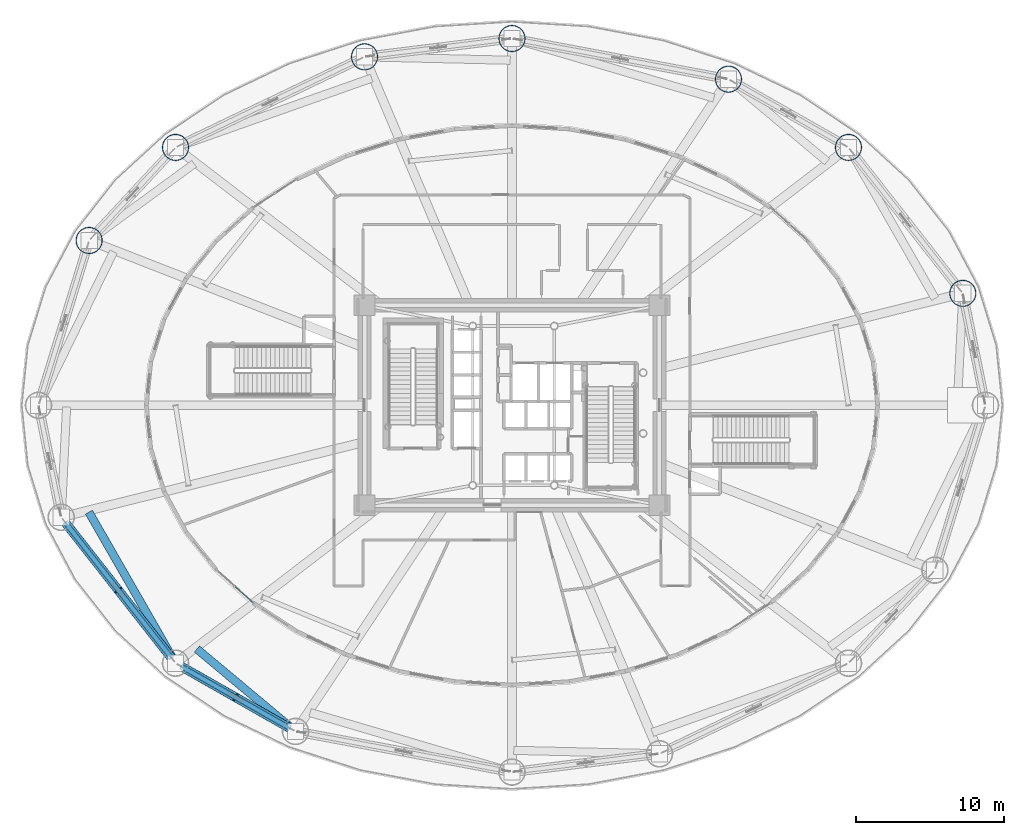
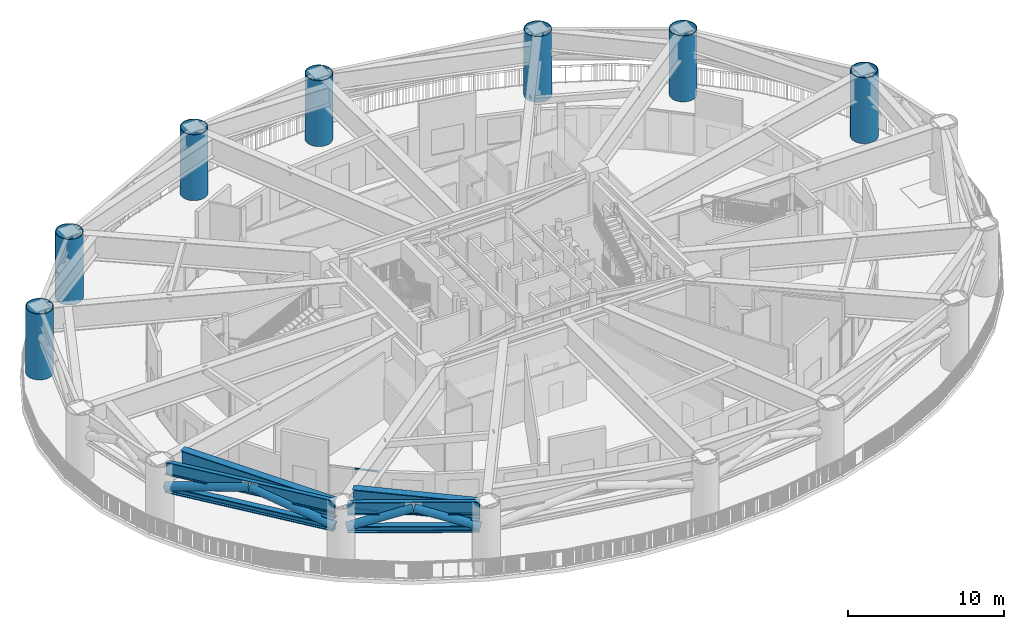
# One storey, part 3 of 39: 7 columns, 6 beams, 6 members, 1 element without a shape of its own.
"""IFC4 building model written with IfcOpenShell, lengths in metres."""

import ifcopenshell
import ifcopenshell.guid

model = None  # the IFC model being written
_history = None  # IfcOwnerHistory: only IFC2X3 demands one
_inside = {}  # id of a spatial element -> (the spatial element, [elements in it])
_under = {}  # id of a project, library or spatial element -> (it, [spatial elements below it])
_declared = {}  # id of a project -> (the project, [libraries it declares])
_typed = {}  # id of a type object -> (the type object, [elements of that type])
_made_of = {}  # id of a material, layer set ... -> (it, [elements and type objects made of it])


def new_model(schema):
    """Start an empty IFC model of exactly this schema.

    Asked for "IFC4X3", IfcOpenShell would pick the latest addendum, in which some entities
    have other attributes; the version numbers below select the first issue.
    IFC2X3 requires an IfcOwnerHistory on every rooted entity: one is made here for all.
    """
    global model, _history
    if schema == "IFC4X3":
        model = ifcopenshell.file(schema_version=(4, 3, 0, 0))
    else:
        model = ifcopenshell.file(schema=schema)
    _inside.clear()
    _under.clear()
    _declared.clear()
    _typed.clear()
    _made_of.clear()
    _history = None
    if model.schema == "IFC2X3":
        org = make("IfcOrganization", Name="unknown")
        user = make(
            "IfcPersonAndOrganization",
            ThePerson=make("IfcPerson", FamilyName="unknown"),
            TheOrganization=org,
        )
        app = make(
            "IfcApplication",
            ApplicationDeveloper=org,
            Version="unknown",
            ApplicationFullName="unknown",
            ApplicationIdentifier="unknown",
        )
        _history = make(
            "IfcOwnerHistory",
            OwningUser=user,
            OwningApplication=app,
            ChangeAction="ADDED",
            CreationDate=0,
        )
    return model


def make(cls, **values):
    """One entity of the class cls with the attributes given. An attribute that is None is left unset."""
    return model.create_entity(
        cls, **{name: value for name, value in values.items() if value is not None}
    )


def rooted(cls, **values):
    """An entity with a GlobalId (a new one), such as an element, a storey or a relation."""
    return make(cls, GlobalId=ifcopenshell.guid.new(), OwnerHistory=_history, **values)


def si_unit(unit_type, name, prefix=None):
    """IfcSIUnit, for example si_unit("LENGTHUNIT", "METRE", prefix="MILLI")."""
    return make("IfcSIUnit", UnitType=unit_type, Prefix=prefix, Name=name)


def assignment(units):
    """IfcUnitAssignment: the units of a project."""
    return None if units is None else make("IfcUnitAssignment", Units=units)


def point(xyz):
    """IfcCartesianPoint."""
    return None if xyz is None else make("IfcCartesianPoint", Coordinates=xyz)


def direction(xyz):
    """IfcDirection."""
    return None if xyz is None else make("IfcDirection", DirectionRatios=xyz)


def frame(location, z_axis=None, x_axis=None):
    """IfcAxis2Placement3D, a coordinate frame: its origin and axes. An axis left out is left unset."""
    return make(
        "IfcAxis2Placement3D",
        Location=point(location),
        Axis=direction(z_axis),
        RefDirection=direction(x_axis),
    )


def frame_2d(location, x_axis=None):
    """IfcAxis2Placement2D, a coordinate frame in the plane: its origin and x axis."""
    return make(
        "IfcAxis2Placement2D", Location=point(location), RefDirection=direction(x_axis)
    )


def origin():
    """The frame at (0, 0, 0) with its axes left unset."""
    return frame((0.0, 0.0, 0.0))


def origin_2d():
    """The frame at (0, 0) in the plane with its x axis left unset."""
    return frame_2d((0.0, 0.0))


def place(relative_to, where):
    """IfcLocalPlacement: puts the frame where relative to a parent placement (None: the world)."""
    return make(
        "IfcLocalPlacement", PlacementRelTo=relative_to, RelativePlacement=where
    )


def context(
    kind, dimensions, precision=None, world=None, true_north=None, identifier=None
):
    """IfcGeometricRepresentationContext, for example the 3D "Model" context."""
    return make(
        "IfcGeometricRepresentationContext",
        ContextIdentifier=identifier,
        ContextType=kind,
        CoordinateSpaceDimension=dimensions,
        Precision=precision,
        WorldCoordinateSystem=world,
        TrueNorth=true_north,
    )


def subcontext(parent, identifier, kind, view, scale=None):
    """IfcGeometricRepresentationSubContext, for example "Body" below "Model"."""
    return make(
        "IfcGeometricRepresentationSubContext",
        ContextIdentifier=identifier,
        ContextType=kind,
        ParentContext=parent,
        TargetScale=scale,
        TargetView=view,
    )


def project(units=None, contexts=None):
    """IfcProject with its units and contexts."""
    return rooted(
        "IfcProject",
        Name="project",
        RepresentationContexts=contexts,
        UnitsInContext=assignment(units),
    )


def spatial(cls, under=None, at=None, **own):
    """A site, building, storey or space (cls), placed at a placement, below another one or the project."""
    s = rooted(cls, ObjectPlacement=at, **own)
    if under is not None:
        _under.setdefault(under.id(), (under, []))[1].append(s)
    return s


def profile(cls, at=None, kind="AREA", **sizes):
    """A parametric profile (cls). Its sizes go by their IFC names, for example OverallWidth=200.0."""
    return make(cls, ProfileType=kind, Position=at, **sizes)


def hollow_rectangle(**sizes):
    """IfcRectangleHollowProfileDef."""
    return profile("IfcRectangleHollowProfileDef", **sizes)


def hollow_circle(**sizes):
    """IfcCircleHollowProfileDef."""
    return profile("IfcCircleHollowProfileDef", **sizes)


def i_section(**sizes):
    """IfcIShapeProfileDef."""
    return profile("IfcIShapeProfileDef", **sizes)


def extrude(swept, where, along, depth):
    """IfcExtrudedAreaSolid: the profile swept, set in the frame where, extruded along a direction by depth."""
    return make(
        "IfcExtrudedAreaSolid",
        SweptArea=swept,
        Position=where,
        ExtrudedDirection=direction(along),
        Depth=depth,
    )


def shape(context_of_items, identifier, shape_type, items):
    """IfcShapeRepresentation: the items that make up one representation, for example the "Body"."""
    return make(
        "IfcShapeRepresentation",
        ContextOfItems=context_of_items,
        RepresentationIdentifier=identifier,
        RepresentationType=shape_type,
        Items=items,
    )


def source(mapping_origin, context_of_items, identifier, shape_type, items):
    """IfcRepresentationMap: a shape defined once, which mapped items show again and again."""
    return make(
        "IfcRepresentationMap",
        MappingOrigin=mapping_origin,
        MappedRepresentation=shape(context_of_items, identifier, shape_type, items),
    )


def transform(
    local_origin,
    x_axis=None,
    y_axis=None,
    z_axis=None,
    scale=None,
    scale2=None,
    scale3=None,
    uniform=True,
):
    """IfcCartesianTransformationOperator3D, or its non-uniform kind. x_axis, y_axis, z_axis: its Axis1, 2, 3."""
    if uniform:
        return make(
            "IfcCartesianTransformationOperator3D",
            Axis1=direction(x_axis),
            Axis2=direction(y_axis),
            LocalOrigin=point(local_origin),
            Scale=scale,
            Axis3=direction(z_axis),
        )
    return make(
        "IfcCartesianTransformationOperator3DnonUniform",
        Axis1=direction(x_axis),
        Axis2=direction(y_axis),
        LocalOrigin=point(local_origin),
        Scale=scale,
        Axis3=direction(z_axis),
        Scale2=scale2,
        Scale3=scale3,
    )


def mapped(mapping_source, mapping_target):
    """IfcMappedItem: shows the shape of a source again, moved by a transform."""
    return make(
        "IfcMappedItem", MappingSource=mapping_source, MappingTarget=mapping_target
    )


def material(Name=None, Category=None):
    """IfcMaterial."""
    return make("IfcMaterial", Name=Name, Category=Category)


def layer(
    of_material, thickness, ventilated=None, Name=None, Category=None, Priority=None
):
    """IfcMaterialLayer: one layer of a wall or slab, of a material (None: an air gap)."""
    return make(
        "IfcMaterialLayer",
        Material=of_material,
        LayerThickness=thickness,
        IsVentilated=ventilated,
        Name=Name,
        Category=Category,
        Priority=Priority,
    )


def layer_set(layers, Name=None):
    """IfcMaterialLayerSet."""
    return make("IfcMaterialLayerSet", MaterialLayers=layers, LayerSetName=Name)


def material_profile(
    of_material, cross_section, Name=None, Category=None, Priority=None
):
    """IfcMaterialProfile: a cross section and its material."""
    return make(
        "IfcMaterialProfile",
        Name=Name,
        Material=of_material,
        Profile=cross_section,
        Priority=Priority,
        Category=Category,
    )


def profile_set(profiles, Name=None, composite=None):
    """IfcMaterialProfileSet."""
    return make(
        "IfcMaterialProfileSet",
        Name=Name,
        MaterialProfiles=profiles,
        CompositeProfile=composite,
    )


def made_of(thing, what):
    """Note that an element or type object is made of a material, layer set ...; save() writes the relation."""
    if what is not None:
        _made_of.setdefault(what.id(), (what, []))[1].append(thing)
    return thing


def type_object(cls, material=None, **own):
    """A type object (cls), such as IfcWallType, which elements share."""
    return made_of(rooted(cls, **own), material)


def element(
    cls,
    number,
    at=None,
    inside=None,
    cuts=None,
    type_object=None,
    material=None,
    context=None,
    identifier="Body",
    shape_type=None,
    held_by="IfcProductDefinitionShape",
    body=None,
    shapes=None,
    **own,
):
    """One element of the class cls, such as IfcWall. Its Tag is "e" and its number.

    at: its placement. inside: the storey or other place that contains it. cuts: it is an
    opening in that element (IfcRelVoidsElement). A single representation is given by context,
    identifier, shape_type and body (its items); several are given by shapes. held_by: the class
    of the entity that holds the representations. save() writes the other relations.
    """
    e = rooted(cls, Tag="e%d" % number, ObjectPlacement=at, **own)
    if body is not None:
        shapes = [shape(context, identifier, shape_type, body)]
    if shapes is not None:
        e.Representation = make(held_by, Representations=shapes)
    if inside is not None:
        _inside.setdefault(inside.id(), (inside, []))[1].append(e)
    if cuts is not None:
        rooted(
            "IfcRelVoidsElement", RelatingBuildingElement=cuts, RelatedOpeningElement=e
        )
    if type_object is not None:
        _typed.setdefault(type_object.id(), (type_object, []))[1].append(e)
    return made_of(e, material)


def aggregate(whole, parts):
    """IfcRelAggregates: a whole, such as a stair, and the parts it consists of."""
    return rooted("IfcRelAggregates", RelatingObject=whole, RelatedObjects=parts)


def save(model, path):
    """Write the relations noted so far, then the file.

    IfcRelAggregates (storeys below a building ...), IfcRelContainedInSpatialStructure (elements
    in a storey), IfcRelDefinesByType, IfcRelAssociatesMaterial and IfcRelDeclares: one each for
    every whole, place, type object, material and project.
    """
    for whole, parts in _under.values():
        aggregate(whole, parts)
    for where, things in _inside.values():
        rooted(
            "IfcRelContainedInSpatialStructure",
            RelatedElements=things,
            RelatingStructure=where,
        )
    for kind, things in _typed.values():
        rooted("IfcRelDefinesByType", RelatedObjects=things, RelatingType=kind)
    for what, things in _made_of.values():
        rooted("IfcRelAssociatesMaterial", RelatedObjects=things, RelatingMaterial=what)
    for by, libraries in _declared.values():
        rooted("IfcRelDeclares", RelatingContext=by, RelatedDefinitions=libraries)
    model.write(path)


model = new_model("IFC4")

# Units and contexts
model_context = context("Model", 3, precision=1e-05, world=origin(), true_north=direction((0.0, 1.0)))
body_context = subcontext(model_context, "Body", "Model", "MODEL_VIEW")
ifc_project = project(units=[si_unit("LENGTHUNIT", "METRE"), si_unit("AREAUNIT", "SQUARE_METRE"), si_unit("VOLUMEUNIT", "CUBIC_METRE"), si_unit("PLANEANGLEUNIT", "RADIAN"), si_unit("MASSUNIT", "GRAM", prefix="KILO")], contexts=[model_context])

# Site, building, storey
site_placement = place(None, origin())
site = spatial("IfcSite", under=ifc_project, at=site_placement, CompositionType="ELEMENT")
building_placement = place(site_placement, origin())
building = spatial("IfcBuilding", under=site, at=building_placement, Name="Linh Dai School and Residence Tower", CompositionType="ELEMENT")
storey_placement = place(building_placement, frame((0.0, 0.0, 27.0)))
storey = spatial("IfcBuildingStorey", under=building, at=storey_placement, Name="L06", CompositionType="ELEMENT", Elevation=27.0)

# Columns
ifc_material_1 = material(Name="Structural Steel S355JR", Category="steel")
ifc_material_profile_1 = material_profile(ifc_material_1, hollow_circle(Radius=0.89990234375, WallThickness=0.050048828125, at=origin_2d()), Name="CHS 1800x50")
ifc_profile_set_1 = profile_set([ifc_material_profile_1], Name="Structural Steel S355JR")
column_type = type_object("IfcColumnType", Name="COL-MC1", PredefinedType="COLUMN", material=ifc_profile_set_1)
for number, where, z_axis, x_axis, name in (
    (1, (66.42041015625, 34.555419921875, 0.0), (0.0, 0.0, 1.0), (1.0, 0.0, 0.0), "L06 Perimeter CFT Mega-Column MC02"),
    (2, (58.705322265625, 44.400634765625, 0.0), (0.0, 0.0, 1.0), (1.0, 0.0, 0.0), "L06 Perimeter CFT Mega-Column MC03"),
    (3, (50.609130859375, 49.005126953125, 0.0), (0.0, 0.0, 1.0), (1.0, 0.0, 0.0), "L06 Perimeter CFT Mega-Column MC04"),
    (4, (36.0, 51.75, 0.0), (0.0, 0.0, 1.0), (1.0, 0.0, 0.0), "L06 Perimeter CFT Mega-Column MC05"),
    (5, (26.048828125, 50.51611328125, 0.0), (0.0, 0.0, 1.0), (1.0, 0.0, 0.0), "L06 Perimeter CFT Mega-Column MC06"),
    (6, (13.294677734375, 44.400634765625, 0.0), (0.0, 0.0, 1.0), (1.0, 0.0, 0.0), "L06 Perimeter CFT Mega-Column MC07"),
    (7, (7.46630859375, 38.1220703125, 0.0), (0.0, 0.0, 1.0), (1.0, 0.0, 0.0), "L06 Perimeter CFT Mega-Column MC08"),
):
    element("IfcColumn", number, at=place(storey_placement, frame(where, z_axis=z_axis, x_axis=x_axis)), inside=storey, type_object=column_type, Name=name, PredefinedType="COLUMN", context=body_context, shape_type="SweptSolid", body=[
        extrude(hollow_circle(Radius=0.89990234375, WallThickness=0.050048828125, at=origin_2d()), origin(), (0.0, 0.0, 1.0), 5.14990234375),
    ])

# Beams
ifc_material_profile_2 = material_profile(ifc_material_1, i_section(OverallWidth=0.41796875, OverallDepth=0.506103515625, WebThickness=0.038818359375, FlangeThickness=0.05810546875, FilletRadius=0.014892578125, at=origin_2d()), Name="HD 400x551")
ifc_profile_set_2 = profile_set([ifc_material_profile_2], Name="Structural Steel S355JR")
beam_type_1 = type_object("IfcBeamType", Name="BM-BC1", PredefinedType="BEAM", material=ifc_profile_set_2)
beam_1_placement = place(storey_placement, frame((5.838623046875, 19.114013671875, 3.050048828125), z_axis=(0.616811949607, -0.787110550572, 0.0), x_axis=(0.787110550572, 0.616811949607, 0.0)))
element("IfcBeam", 8, at=beam_1_placement, inside=storey, type_object=beam_type_1, Name="L06 Ring Belt Truss BT1 Bottom Chord 10", PredefinedType="BEAM", context=body_context, shape_type="SweptSolid", body=[
    extrude(i_section(OverallWidth=0.41796875, OverallDepth=0.506103515625, WebThickness=0.038818359375, FlangeThickness=0.05810546875, FilletRadius=0.014892578125, at=origin_2d()), origin(), (0.0, 0.0, 1.0), 11.668212890625),
])
beam_2_placement = place(storey_placement, frame((13.659912109375, 9.3916015625, 3.050048828125), z_axis=(0.869246663758, -0.494378637833, 0.0), x_axis=(0.494378637833, 0.869246663758, 0.0)))
element("IfcBeam", 9, at=beam_2_placement, inside=storey, type_object=beam_type_1, Name="L06 Ring Belt Truss BT1 Bottom Chord 11", PredefinedType="BEAM", context=body_context, shape_type="SweptSolid", body=[
    extrude(i_section(OverallWidth=0.41796875, OverallDepth=0.506103515625, WebThickness=0.038818359375, FlangeThickness=0.05810546875, FilletRadius=0.014892578125, at=origin_2d()), origin(), (0.0, 0.0, 1.0), 8.4736328125),
])
ifc_material_profile_3 = material_profile(ifc_material_1, i_section(OverallWidth=0.300048828125, OverallDepth=1.0, WebThickness=0.01904296875, FlangeThickness=0.035888671875, FilletRadius=0.030029296875, at=origin_2d()), Name="HEB 1000")
ifc_profile_set_3 = profile_set([ifc_material_profile_3], Name="Structural Steel S355JR")
beam_type_2 = type_object("IfcBeamType", Name="BM-RG10", PredefinedType="BEAM", material=ifc_profile_set_3)
beam_3_placement = place(storey_placement, frame((5.838623046875, 19.114013671875, 4.64990234375), z_axis=(0.616811949607, -0.787110550572, 0.0), x_axis=(0.787110550572, 0.616811949607, 0.0)))
element("IfcBeam", 10, at=beam_3_placement, inside=storey, type_object=beam_type_2, Name="L06 Perimeter Elliptical Ring Beam 10", PredefinedType="BEAM", context=body_context, shape_type="SweptSolid", body=[
    extrude(i_section(OverallWidth=0.300048828125, OverallDepth=1.0, WebThickness=0.01904296875, FlangeThickness=0.035888671875, FilletRadius=0.030029296875, at=origin_2d()), origin(), (0.0, 0.0, 1.0), 11.668212890625),
])
beam_4_placement = place(storey_placement, frame((13.659912109375, 9.3916015625, 4.64990234375), z_axis=(0.869246663758, -0.494378637833, 0.0), x_axis=(0.494378637833, 0.869246663758, 0.0)))
element("IfcBeam", 11, at=beam_4_placement, inside=storey, type_object=beam_type_2, Name="L06 Perimeter Elliptical Ring Beam 11", PredefinedType="BEAM", context=body_context, shape_type="SweptSolid", body=[
    extrude(i_section(OverallWidth=0.300048828125, OverallDepth=1.0, WebThickness=0.01904296875, FlangeThickness=0.035888671875, FilletRadius=0.030029296875, at=origin_2d()), origin(), (0.0, 0.0, 1.0), 8.4736328125),
])
ifc_material_profile_4 = material_profile(ifc_material_1, i_section(OverallWidth=0.550048828125, OverallDepth=1.5, WebThickness=0.028076171875, FlangeThickness=0.050048828125, at=origin_2d()), Name="PG 1500x550x28x50")
ifc_profile_set_4 = profile_set([ifc_material_profile_4], Name="Structural Steel S355JR")
beam_type_3 = type_object("IfcBeamType", Name="BM-TG15", PredefinedType="BEAM", material=ifc_profile_set_4)
beam_5_placement = place(storey_placement, frame((7.448974609375, 19.787353515625, 4.39990234375), z_axis=(0.497679559696, -0.867360972065, 0.0), x_axis=(0.867360972065, 0.497679559696, 0.0)))
element("IfcBeam", 12, at=beam_5_placement, inside=storey, type_object=beam_type_3, Name="L06 Setback Diaphragm Transfer Girder 10", PredefinedType="BEAM", context=body_context, shape_type="SweptSolid", body=[
    extrude(i_section(OverallWidth=0.550048828125, OverallDepth=1.5, WebThickness=0.028076171875, FlangeThickness=0.050048828125, at=origin_2d()), origin(), (0.0, 0.0, 1.0), 11.325927734375),
])
beam_6_placement = place(storey_placement, frame((14.7392578125, 10.553955078125, 4.39990234375), z_axis=(0.767305895416, -0.641281266575, 0.0), x_axis=(0.641281266575, 0.767305895416, 0.0)))
element("IfcBeam", 13, at=beam_6_placement, inside=storey, type_object=beam_type_3, Name="L06 Setback Diaphragm Transfer Girder 11", PredefinedType="BEAM", context=body_context, shape_type="SweptSolid", body=[
    extrude(i_section(OverallWidth=0.550048828125, OverallDepth=1.5, WebThickness=0.028076171875, FlangeThickness=0.050048828125, at=origin_2d()), origin(), (0.0, 0.0, 1.0), 8.248779296875),
])

# Members
ifc_material_profile_5 = material_profile(ifc_material_1, hollow_circle(Radius=0.304931640625, WallThickness=0.02490234375, at=origin_2d()), Name="CHS 610x25")
ifc_profile_set_5 = profile_set([ifc_material_profile_5], Name="Structural Steel S355JR")
member_type_1 = type_object("IfcMemberType", Name="MBR-BT1", PredefinedType="BRACE", material=ifc_profile_set_5)
for number, where, z_axis, x_axis, name in (
    (14, (5.83056640625, 19.124267578125, 3.154052734375), (0.597556233995, -0.762559745941, 0.24784910951), (0.787118921052, 0.616801267932, 0.0), "L06 Ring Belt Truss BT1 Diagonal 10A"),
    (15, (13.043701171875, 9.919677734375, 3.154052734375), (-0.597582240686, 0.76254131315, 0.247843118438), (-0.787098649384, -0.616827136351, 0.0), "L06 Ring Belt Truss BT1 Diagonal 10B"),
):
    element("IfcMember", number, at=place(storey_placement, frame(where, z_axis=z_axis, x_axis=x_axis)), inside=storey, type_object=member_type_1, Name=name, PredefinedType="BRACE", context=body_context, shape_type="SweptSolid", body=[
        extrude(hollow_circle(Radius=0.304931640625, WallThickness=0.02490234375, at=origin_2d()), origin(), (0.0, 0.0, 1.0), 6.035400390625),
    ])
for number, where, z_axis, x_axis, name in (
    (16, (13.64013671875, 9.403076171875, 3.1865234375), (0.82207670469, -0.467574420061, 0.324906222333), (0.494397335432, 0.869236029349, 0.0), "L06 Ring Belt Truss BT1 Diagonal 11A"),
    (17, (21.04541015625, 5.191162109375, 3.1865234375), (-0.82207670469, 0.467574420061, 0.324906222333), (-0.494397335432, -0.869236029349, 0.0), "L06 Ring Belt Truss BT1 Diagonal 11B"),
):
    element("IfcMember", number, at=place(storey_placement, frame(where, z_axis=z_axis, x_axis=x_axis)), inside=storey, type_object=member_type_1, Name=name, PredefinedType="BRACE", context=body_context, shape_type="SweptSolid", body=[
        extrude(hollow_circle(Radius=0.304931640625, WallThickness=0.02490234375, at=origin_2d()), origin(), (0.0, 0.0, 1.0), 4.50390625),
    ])

# Curtain wall, members
ifc_material_2 = material(Name="Aluminium Anodised Curtain Wall", Category="aluminium")
ifc_layer = layer(ifc_material_2, 0.169921875)
ifc_layer_set = layer_set([ifc_layer], Name="Aluminium Anodised Curtain Wall")
curtain_wall_type = type_object("IfcCurtainWallType", Name="CW-SYS-2", PredefinedType="USERDEFINED", material=ifc_layer_set)
curtain_wall_placement = place(storey_placement, origin())
curtain_wall = element("IfcCurtainWall", 18, at=curtain_wall_placement, inside=storey, type_object=curtain_wall_type, Name="L06 CW2 Curtain Wall 25", ObjectType="UNITISED CURTAIN WALL", PredefinedType="USERDEFINED")
ifc_material_3 = material(Name="Aluminium Alloy 6063-T6", Category="aluminium")
ifc_material_profile_6 = material_profile(ifc_material_3, hollow_rectangle(XDim=0.06005859375, YDim=0.1298828125, WallThickness=0.00390625, at=origin_2d()), Name="RHS 130x60x4")
ifc_profile_set_6 = profile_set([ifc_material_profile_6], Name="Aluminium Alloy 6063-T6")
member_type_2 = type_object("IfcMemberType", Name="CW-SYS-2-TRN", PredefinedType="USERDEFINED", material=ifc_profile_set_6)
shared_shape = source(origin(), body_context, "Body", "SweptSolid", [
    extrude(hollow_rectangle(XDim=0.06005859375, YDim=0.1298828125, WallThickness=0.00390625, at=origin_2d()), origin(), (0.0, 0.0, 1.0), 1.59765625),
])
member_1_placement = place(storey_placement, frame((18.4951171875, 13.704345703125, 0.030029296875), z_axis=(-0.744493483797, 0.667629727157, 0.0), x_axis=(-0.667629727157, -0.744493483797, 0.0)))
member_1 = element("IfcMember", 19, at=member_1_placement, type_object=member_type_2, Name="CW2 transom 1.1", ObjectType="TRANSOM", PredefinedType="USERDEFINED", context=body_context, shape_type="MappedRepresentation", body=[
    mapped(shared_shape, transform((0.0, 0.0, 0.0), x_axis=(1.0, 0.0, 0.0), y_axis=(0.0, 1.0, 0.0), z_axis=(0.0, 0.0, 1.0), scale=1.0)),
])
member_2_placement = place(storey_placement, frame((18.4951171875, 13.704345703125, 3.155029296875), z_axis=(-0.744493483797, 0.667629727157, 0.0), x_axis=(-0.667629727157, -0.744493483797, 0.0)))
member_2 = element("IfcMember", 20, at=member_2_placement, type_object=member_type_2, Name="CW2 transom 1.2", ObjectType="TRANSOM", PredefinedType="USERDEFINED", context=body_context, shape_type="MappedRepresentation", body=[
    mapped(shared_shape, transform((0.0, 0.0, 0.0), x_axis=(1.0, 0.0, 0.0), y_axis=(0.0, 1.0, 0.0), z_axis=(0.0, 0.0, 1.0), scale=1.0)),
])
aggregate(curtain_wall, [member_1, member_2])

save(model, "model.ifc")
